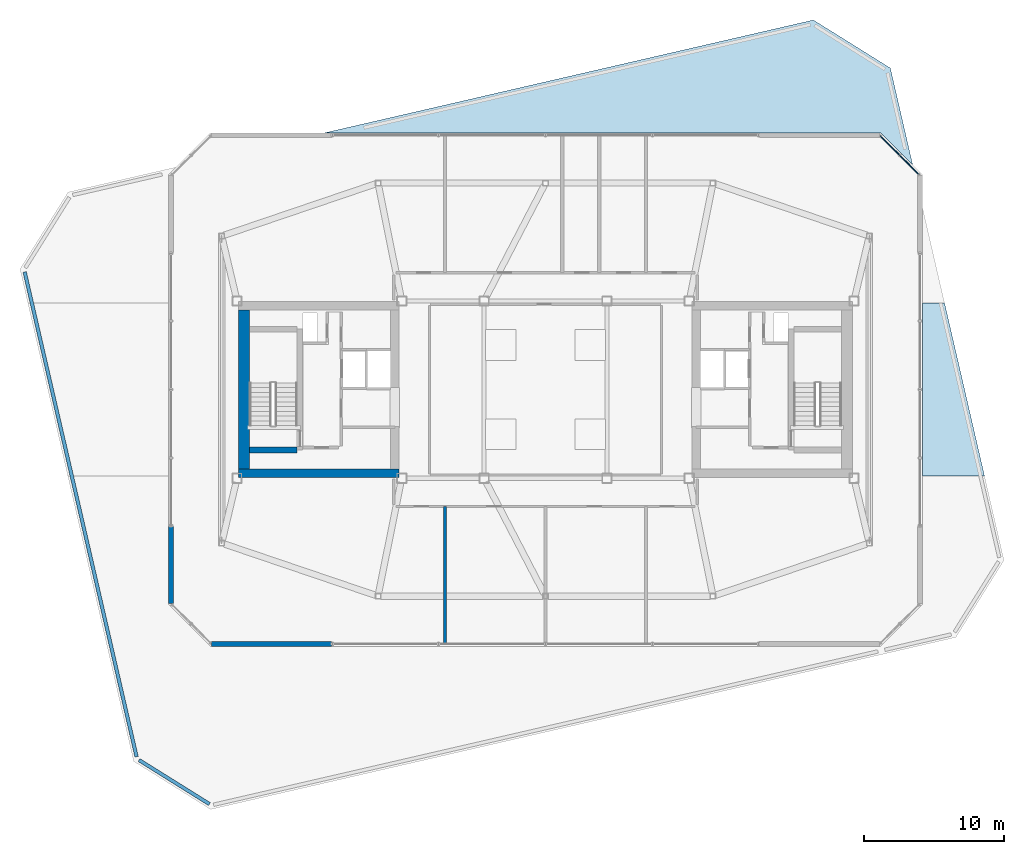
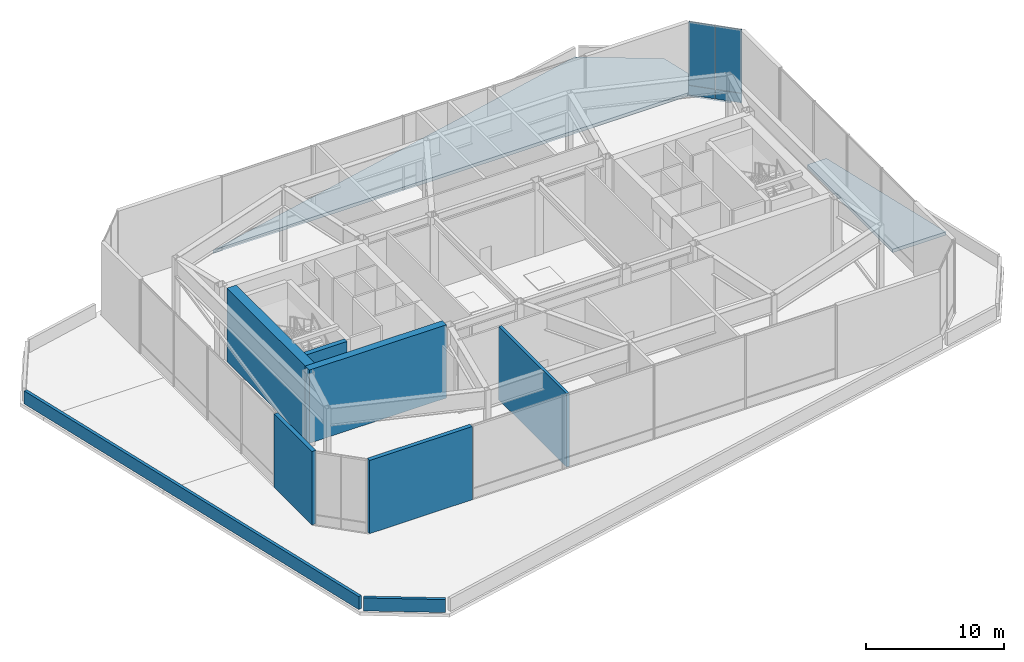
# One storey, part 19 of 25: 8 walls, 4 plates, 2 slabs, 1 element without a shape of its own.
"""IFC4 building model written with IfcOpenShell, lengths in metres."""

from ifc_helpers import new_model, si_unit, direction, frame, frame_2d, origin, origin_2d, place, context, subcontext, project, spatial, polyline, rectangle, outline, extrude, material, layer, layer_set, type_object, element, aggregate, save


model = new_model("IFC4")

# Units and contexts
model_context = context("Model", 3, precision=1e-05, world=origin(), true_north=direction((0.0, 1.0)))
body_context = subcontext(model_context, "Body", "Model", "MODEL_VIEW")
ifc_project = project(units=[si_unit("LENGTHUNIT", "METRE"), si_unit("AREAUNIT", "SQUARE_METRE"), si_unit("VOLUMEUNIT", "CUBIC_METRE"), si_unit("PLANEANGLEUNIT", "RADIAN"), si_unit("MASSUNIT", "GRAM", prefix="KILO")], contexts=[model_context])

# Site, building, storey
site_placement = place(None, origin())
site = spatial("IfcSite", under=ifc_project, at=site_placement, CompositionType="ELEMENT")
building_placement = place(site_placement, origin())
building = spatial("IfcBuilding", under=site, at=building_placement, Name="Tavrogorsk Clinical Tower", CompositionType="ELEMENT")
storey_placement = place(building_placement, frame((0.0, 0.0, 333.0)))
storey = spatial("IfcBuildingStorey", under=building, at=storey_placement, Name="L78", CompositionType="ELEMENT", Elevation=333.0)

# Slabs
ifc_material_1 = material(Name="Concrete B60", Category="concrete")
ifc_layer_1 = layer(ifc_material_1, 0.300048828125)
ifc_layer_set_1 = layer_set([ifc_layer_1], Name="Concrete B60")
slab_type = type_object("IfcSlabType", Name="CrownTopRoofSlab_300", PredefinedType="ROOF", material=ifc_layer_set_1)
slab_1_placement = place(storey_placement, frame((0.0, 0.0, -0.300048828125)))
element("IfcSlab", 1, at=slab_1_placement, inside=storey, type_object=slab_type, Name="L78 Setback Roof Slab 4", PredefinedType="ROOF", context=body_context, shape_type="SweptSolid", body=[
    extrude(outline(polyline([(24.708251953125, 23.034423828125), (26.31201171875, 16.088134765625), (24.0, 18.39990234375), (-15.81494140625, 18.39990234375), (19.19140625, 26.48193359375), (24.708251953125, 23.034423828125)])), origin(), (0.0, 0.0, 1.0), 0.300048828125),
])
slab_2_placement = place(storey_placement, frame((0.0, 0.0, -0.300048828125)))
element("IfcSlab", 2, at=slab_2_placement, inside=storey, type_object=slab_type, Name="L78 Setback Roof Slab 6", PredefinedType="ROOF", context=body_context, shape_type="SweptSolid", body=[
    extrude(outline(polyline([(27.0, 6.199951171875), (28.5947265625, 6.199951171875), (31.45751953125, -6.199951171875), (27.0, -6.199951171875), (27.0, 6.199951171875)])), origin(), (0.0, 0.0, 1.0), 0.300048828125),
])

# Curtain wall, plates
ifc_material_2 = material(Name="Anodised aluminium and triple IGU glazing", Category="aluminium")
ifc_layer_2 = layer(ifc_material_2, 0.179931640625)
ifc_layer_set_2 = layer_set([ifc_layer_2], Name="Anodised aluminium and triple IGU glazing")
curtain_wall_type = type_object("IfcCurtainWallType", Name="CW6_TmdLantern", PredefinedType="NOTDEFINED", material=ifc_layer_set_2)
curtain_wall_placement = place(storey_placement, origin())
curtain_wall = element("IfcCurtainWall", 3, at=curtain_wall_placement, inside=storey, type_object=curtain_wall_type, Name="L78 Curtain Wall CW-L78-TMD-5", PredefinedType="NOTDEFINED")
ifc_material_3 = material(Name="Honed Podolsk limestone spandrel panel", Category="masonry")
ifc_layer_3 = layer(ifc_material_3, 0.080078125)
ifc_layer_set_3 = layer_set([ifc_layer_3], Name="Honed Podolsk limestone spandrel panel")
plate_type_1 = type_object("IfcPlateType", Name="CwSpandrelStonePanel_80", PredefinedType="CURTAIN_PANEL", material=ifc_layer_set_3)
plate_1_placement = place(storey_placement, frame((24.671630859375, 17.488037109375, 0.001953125), z_axis=(0.0, 0.0, 1.0), x_axis=(0.707106781187, -0.707106781187, 0.0)))
plate_1 = element("IfcPlate", 4, at=plate_1_placement, type_object=plate_type_1, Name="CW-L78-TMD-5 Stone Spandrel Panel 1", PredefinedType="CURTAIN_PANEL", context=body_context, shape_type="SweptSolid", body=[
    extrude(rectangle(XDim=1.97900390625, YDim=0.080078125, at=origin_2d()), origin(), (0.0, 0.0, 1.0), 0.8359375),
])
plate_2_placement = place(storey_placement, frame((26.087890625, 16.07177734375, 0.001953125), z_axis=(0.0, 0.0, 1.0), x_axis=(0.707106781187, -0.707106781187, 0.0)))
plate_2 = element("IfcPlate", 5, at=plate_2_placement, type_object=plate_type_1, Name="CW-L78-TMD-5 Stone Spandrel Panel 2", PredefinedType="CURTAIN_PANEL", context=body_context, shape_type="SweptSolid", body=[
    extrude(rectangle(XDim=1.97900390625, YDim=0.080078125, at=origin_2d()), origin(), (0.0, 0.0, 1.0), 0.8359375),
])
ifc_material_4 = material(Name="Diffused translucent insulated glass", Category="glass")
ifc_layer_4 = layer(ifc_material_4, 0.06005859375)
ifc_layer_set_4 = layer_set([ifc_layer_4], Name="Diffused translucent insulated glass")
plate_type_2 = type_object("IfcPlateType", Name="CwTranslucentLanternPanel_60", PredefinedType="CURTAIN_PANEL", material=ifc_layer_set_4)
plate_3_placement = place(storey_placement, frame((24.671630859375, 17.488037109375, 0.86181640625), z_axis=(0.0, 0.0, 1.0), x_axis=(0.707106781187, -0.707106781187, 0.0)))
plate_3 = element("IfcPlate", 6, at=plate_3_placement, type_object=plate_type_2, Name="CW-L78-TMD-5 Glazing Panel 1", PredefinedType="CURTAIN_PANEL", context=body_context, shape_type="SweptSolid", body=[
    extrude(rectangle(XDim=1.97900390625, YDim=0.06005859375, at=origin_2d()), origin(), (0.0, 0.0, 1.0), 5.635986328125),
])
plate_4_placement = place(storey_placement, frame((26.087890625, 16.07177734375, 0.86181640625), z_axis=(0.0, 0.0, 1.0), x_axis=(0.707106781187, -0.707106781187, 0.0)))
plate_4 = element("IfcPlate", 7, at=plate_4_placement, type_object=plate_type_2, Name="CW-L78-TMD-5 Glazing Panel 2", PredefinedType="CURTAIN_PANEL", context=body_context, shape_type="SweptSolid", body=[
    extrude(rectangle(XDim=1.97900390625, YDim=0.06005859375, at=origin_2d()), origin(), (0.0, 0.0, 1.0), 5.635986328125),
])
aggregate(curtain_wall, [plate_1, plate_3, plate_2, plate_4])

# Walls
ifc_material_5 = material(Name="Concrete B45 acoustic studio wall", Category="concrete")
ifc_layer_5 = layer(ifc_material_5, 0.239990234375)
ifc_layer_set_5 = layer_set([ifc_layer_5], Name="Concrete B45 acoustic studio wall")
wall_type_1 = type_object("IfcWallType", Name="AcousticWall_240", PredefinedType="PARTITIONING", material=ifc_layer_set_5)
wall_1_placement = place(storey_placement, frame((-7.199951171875, -18.239990234375, 0.0), z_axis=(0.0, 0.0, 1.0), x_axis=(0.0, 1.0, 0.0)))
element("IfcWall", 8, at=wall_1_placement, inside=storey, type_object=wall_type_1, Name="L78 Crown Partition 1", PredefinedType="PARTITIONING", context=body_context, shape_type="SweptSolid", body=[
    extrude(rectangle(XDim=9.85498046875, YDim=0.239990234375, at=frame_2d((4.927490234375, 0.0))), origin(), (0.0, 0.0, 1.0), 6.5),
])
ifc_material_6 = material(Name="Precast concrete B45 with limestone cladding", Category="masonry")
ifc_layer_6 = layer(ifc_material_6, 0.340087890625)
ifc_layer_set_6 = layer_set([ifc_layer_6], Name="Precast concrete B45 with limestone cladding")
wall_type_2 = type_object("IfcWallType", Name="PrecastLimestoneWall_340", PredefinedType="STANDARD", material=ifc_layer_set_6)
wall_2_placement = place(storey_placement, frame((-26.830078125, -15.32958984375, 0.0), z_axis=(0.0, 0.0, 1.0), x_axis=(0.0, 1.0, 0.0)))
element("IfcWall", 9, at=wall_2_placement, inside=storey, type_object=wall_type_2, Name="L78 Damper Lantern Pier 2-1", PredefinedType="STANDARD", context=body_context, shape_type="SweptSolid", body=[
    extrude(rectangle(XDim=5.51904296875, YDim=0.340087890625, at=frame_2d((2.759521484375, 0.0))), origin(), (0.0, 0.0, 1.0), 6.5),
])
wall_3_placement = place(storey_placement, frame((-15.3154296875, -18.22998046875, 0.0), z_axis=(0.0, 0.0, 1.0), x_axis=(-1.0, 0.0, 0.0)))
element("IfcWall", 10, at=wall_3_placement, inside=storey, type_object=wall_type_2, Name="L78 Damper Lantern Pier 8-2", PredefinedType="STANDARD", context=body_context, shape_type="SweptSolid", body=[
    extrude(rectangle(XDim=8.6142578125, YDim=0.340087890625, at=frame_2d((4.30712890625, 0.0))), origin(), (0.0, 0.0, 1.0), 6.5),
])
ifc_material_7 = material(Name="Concrete B60", Category="concrete")
ifc_layer_7 = layer(ifc_material_7, 0.25)
ifc_layer_set_7 = layer_set([ifc_layer_7], Name="Concrete B60")
wall_type_3 = type_object("IfcWallType", Name="RoofParapetWall_250", PredefinedType="PARAPET", material=ifc_layer_set_7)
wall_4_placement = place(storey_placement, frame((-24.076904296875, -29.6982421875, 0.0), z_axis=(0.0, 0.0, 1.0), x_axis=(-0.848035162631, 0.529939961638, 0.0)))
element("IfcWall", 11, at=wall_4_placement, inside=storey, type_object=wall_type_3, Name="L78 Setback Coping Parapet 1", PredefinedType="PARAPET", context=body_context, shape_type="SweptSolid", body=[
    extrude(rectangle(XDim=5.95361328125, YDim=0.25, at=frame_2d((2.976806640625, 0.0))), origin(), (0.0, 0.0, 1.0), 1.14990234375),
])
wall_5_placement = place(storey_placement, frame((-29.297607421875, -26.302490234375, 0.0), z_axis=(0.0, 0.0, 1.0), x_axis=(-0.224952039938, 0.974369837242, 0.0)))
element("IfcWall", 12, at=wall_5_placement, inside=storey, type_object=wall_type_3, Name="L78 Setback Coping Parapet 2", PredefinedType="PARAPET", context=body_context, shape_type="SweptSolid", body=[
    extrude(rectangle(XDim=35.647705078125, YDim=0.25, at=frame_2d((17.82373046875, 0.0))), origin(), (0.0, 0.0, 1.0), 1.14990234375),
])
ifc_material_8 = material(Name="Concrete B80", Category="concrete")
ifc_layer_8 = layer(ifc_material_8, 0.39990234375)
ifc_layer_set_8 = layer_set([ifc_layer_8], Name="Concrete B80")
wall_type_4 = type_object("IfcWallType", Name="ShearWall_400", PredefinedType="SHEAR", material=ifc_layer_set_8)
wall_6_placement = place(storey_placement, frame((-21.199951171875, -4.324951171875, 0.0), z_axis=(0.0, 0.0, 1.0), x_axis=(1.0, 0.0, 0.0)))
element("IfcWall", 13, at=wall_6_placement, inside=storey, type_object=wall_type_4, Name="L78 Core West Stair Shaft South Shear Wall", PredefinedType="SHEAR", context=body_context, shape_type="SweptSolid", body=[
    extrude(rectangle(XDim=3.39990234375, YDim=0.39990234375, at=frame_2d((1.699951171875, 0.0))), origin(), (0.0, 0.0, 1.0), 6.5),
])
ifc_material_9 = material(Name="Concrete B80", Category="concrete")
ifc_layer_9 = layer(ifc_material_9, 0.60009765625)
ifc_layer_set_9 = layer_set([ifc_layer_9], Name="Concrete B80")
wall_type_5 = type_object("IfcWallType", Name="ShearWall_600", PredefinedType="SHEAR", material=ifc_layer_set_9)
wall_7_placement = place(storey_placement, frame((-22.0, -6.0, 0.0), z_axis=(0.0, 0.0, 1.0), x_axis=(1.0, 0.0, 0.0)))
element("IfcWall", 14, at=wall_7_placement, inside=storey, type_object=wall_type_5, Name="L78 Core West South Shear Wall", PredefinedType="SHEAR", context=body_context, shape_type="SweptSolid", body=[
    extrude(rectangle(XDim=11.5, YDim=0.60009765625, at=frame_2d((5.75, 0.0))), origin(), (0.0, 0.0, 1.0), 6.5),
])
ifc_material_10 = material(Name="Concrete B80", Category="concrete")
ifc_layer_10 = layer(ifc_material_10, 0.800048828125)
ifc_layer_set_10 = layer_set([ifc_layer_10], Name="Concrete B80")
wall_type_6 = type_object("IfcWallType", Name="ShearWall_800", PredefinedType="SHEAR", material=ifc_layer_set_10)
wall_8_placement = place(storey_placement, frame((-21.60009765625, -5.699951171875, 0.0), z_axis=(0.0, 0.0, 1.0), x_axis=(0.0, 1.0, 0.0)))
element("IfcWall", 15, at=wall_8_placement, inside=storey, type_object=wall_type_6, Name="L78 Core West End Shear Wall", PredefinedType="SHEAR", context=body_context, shape_type="SweptSolid", body=[
    extrude(rectangle(XDim=11.39990234375, YDim=0.800048828125, at=frame_2d((5.699951171875, 0.0))), origin(), (0.0, 0.0, 1.0), 6.5),
])

save(model, "model.ifc")
